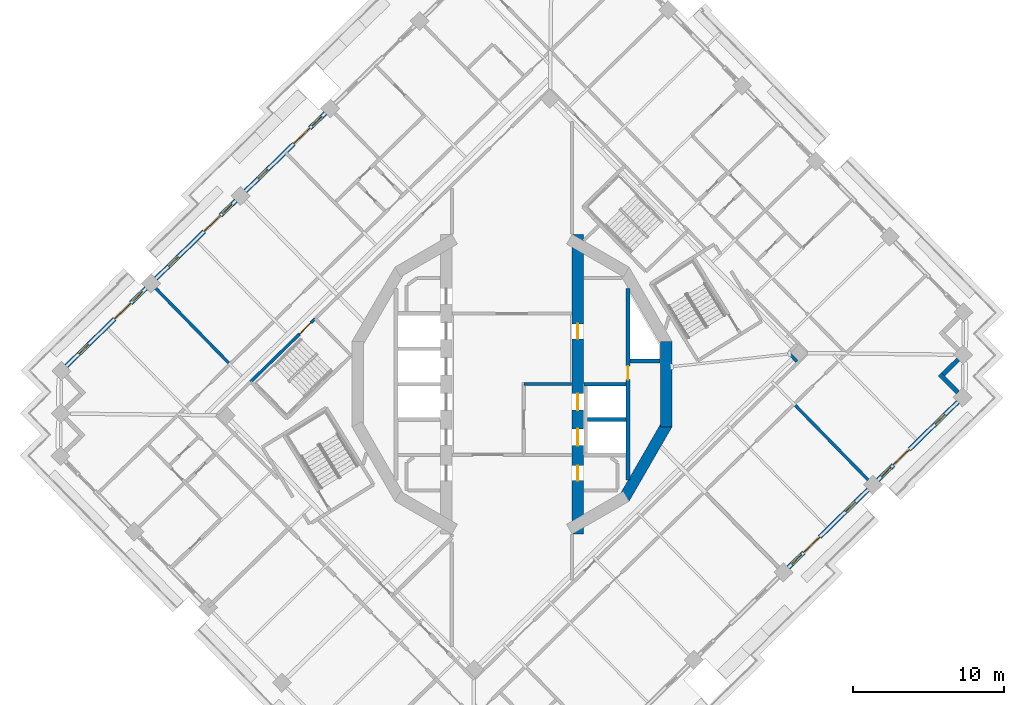
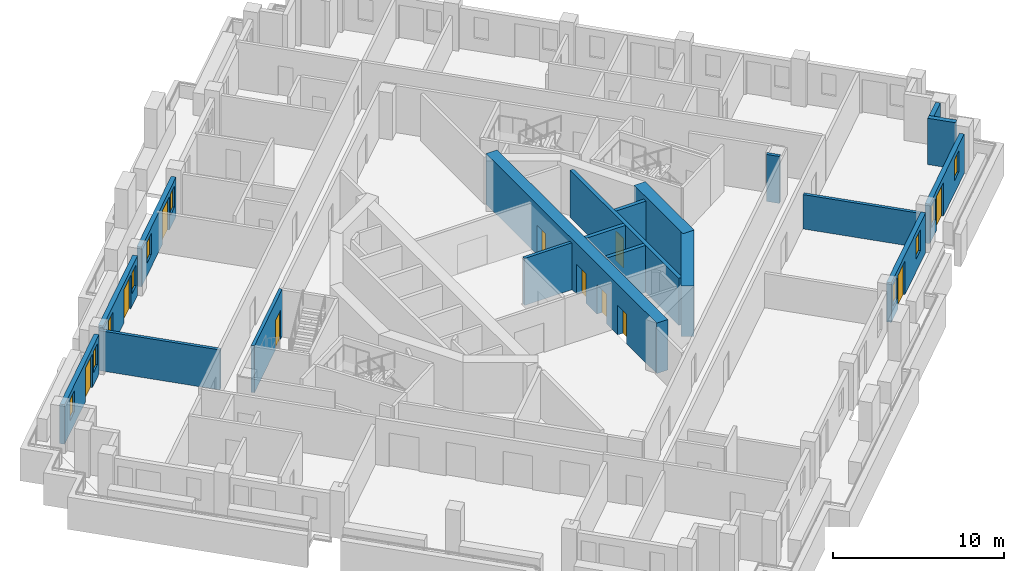
# One storey, part 7 of 17: 19 walls, 11 doors, 10 windows, 21 openings.
"""IFC4 building model written with IfcOpenShell, lengths in metres."""

from ifc_helpers import new_model, si_unit, direction, frame, frame_2d, origin, place, context, subcontext, project, spatial, rectangle, extrude, material, layer, layer_set, type_object, element, fill, save


model = new_model("IFC4")

# Units and contexts
model_context = context("Model", 3, precision=1e-05, world=origin(), true_north=direction((0.0, 1.0)))
body_context = subcontext(model_context, "Body", "Model", "MODEL_VIEW")
ifc_project = project(units=[si_unit("LENGTHUNIT", "METRE"), si_unit("AREAUNIT", "SQUARE_METRE"), si_unit("VOLUMEUNIT", "CUBIC_METRE"), si_unit("PLANEANGLEUNIT", "RADIAN"), si_unit("MASSUNIT", "GRAM", prefix="KILO")], contexts=[model_context])

# Site, building, storey
site_placement = place(None, origin())
site = spatial("IfcSite", under=ifc_project, at=site_placement, CompositionType="ELEMENT")
building_placement = place(site_placement, origin())
building = spatial("IfcBuilding", under=site, at=building_placement, Name="Cantera Rosa Tower", CompositionType="ELEMENT")
storey_placement = place(building_placement, frame((0.0, 0.0, 237.800048828125)))
storey = spatial("IfcBuildingStorey", under=building, at=storey_placement, Name="L52", CompositionType="ELEMENT", Elevation=237.800048828125)

# Walls
ifc_material_1 = material(Name="Hollow clay masonry with cantera stone cladding", Category="masonry")
ifc_layer_1 = layer(ifc_material_1, 0.300048828125)
ifc_layer_set_1 = layer_set([ifc_layer_1], Name="EW-LOGGIA 300")
wall_type_1 = type_object("IfcWallType", Name="EW-LOGGIA 300", PredefinedType="SOLIDWALL", material=ifc_layer_set_1)
wall_1_placement = place(storey_placement, frame((29.623291015625, -0.556884765625, 0.0), z_axis=(0.0, 0.0, 1.0), x_axis=(-0.69880105094, 0.715316077832, 0.0)))
element("IfcWall", 1, at=wall_1_placement, inside=storey, type_object=wall_type_1, Name="EN-L52-W26a", PredefinedType="SOLIDWALL", context=body_context, shape_type="SweptSolid", body=[
    extrude(rectangle(XDim=1.699951171875, YDim=0.300048828125, at=frame_2d((0.85009765625, 0.0))), origin(), (0.0, 0.0, 1.0), 3.300048828125),
])
wall_2_placement = place(storey_placement, frame((28.6474609375, 0.65673828125, 0.0), z_axis=(0.0, 0.0, 1.0), x_axis=(0.715341715727, 0.698774806172, 0.0)))
element("IfcWall", 2, at=wall_2_placement, inside=storey, type_object=wall_type_1, Name="EN-L52-W26b", PredefinedType="SOLIDWALL", context=body_context, shape_type="SweptSolid", body=[
    extrude(rectangle(XDim=1.39990234375, YDim=0.300048828125, at=frame_2d((0.699951171875, 0.0))), origin(), (0.0, 0.0, 1.0), 3.300048828125),
])

# Wall, openings, windows, door
ifc_material_2 = material(Name="Hollow clay masonry with cantera stone cladding", Category="masonry")
ifc_layer_2 = layer(ifc_material_2, 0.300048828125)
ifc_layer_set_2 = layer_set([ifc_layer_2], Name="EW-LOGGIA 300 H2820")
wall_type_2 = type_object("IfcWallType", Name="EW-LOGGIA 300 H2820", PredefinedType="SOLIDWALL", material=ifc_layer_set_2)
wall_3_placement = place(storey_placement, frame((-12.406005859375, 18.007080078125, 0.0), z_axis=(0.0, 0.0, 1.0), x_axis=(-0.715300826176, -0.698816662703, 0.0)))
wall_3 = element("IfcWall", 3, at=wall_3_placement, inside=storey, type_object=wall_type_2, Name="EN-L52-W09", PredefinedType="SOLIDWALL", context=body_context, shape_type="SweptSolid", body=[
    extrude(rectangle(XDim=7.420166015625, YDim=0.300048828125, at=frame_2d((3.7099609375, 0.0))), origin(), (0.0, 0.0, 1.0), 2.820068359375),
])
opening_1_placement = place(wall_3_placement, frame((0.330078125, 0.0, 0.89990234375)))
opening_1 = element("IfcOpeningElement", 4, at=opening_1_placement, cuts=wall_3, Name="Opening L52-W19", PredefinedType="OPENING", context=body_context, shape_type="SweptSolid", body=[
    extrude(rectangle(XDim=0.89990234375, YDim=1.5, at=frame_2d((0.449951171875, 0.75))), frame((0.0, 0.159912109375, 0.0), z_axis=(0.0, -1.0, 0.0), x_axis=(1.0, 0.0, 0.0)), (0.0, 0.0, 1.0), 0.320068359375),
])
opening_2_placement = place(wall_3_placement, frame((1.429931640625, 0.0, 0.0)))
opening_2 = element("IfcOpeningElement", 5, at=opening_2_placement, cuts=wall_3, Name="Opening L52-TD20", PredefinedType="OPENING", context=body_context, shape_type="SweptSolid", body=[
    extrude(rectangle(XDim=1.5, YDim=2.39990234375, at=frame_2d((0.75, 1.199951171875))), frame((0.0, 0.159912109375, 0.0), z_axis=(0.0, -1.0, 0.0), x_axis=(1.0, 0.0, 0.0)), (0.0, 0.0, 1.0), 0.320068359375),
])
opening_3_placement = place(wall_3_placement, frame((5.340087890625, 0.0, 0.89990234375)))
opening_3 = element("IfcOpeningElement", 6, at=opening_3_placement, cuts=wall_3, Name="Opening L52-W21", PredefinedType="OPENING", context=body_context, shape_type="SweptSolid", body=[
    extrude(rectangle(XDim=0.89990234375, YDim=1.5, at=frame_2d((0.449951171875, 0.75))), frame((0.0, 0.159912109375, 0.0), z_axis=(0.0, -1.0, 0.0), x_axis=(1.0, 0.0, 0.0)), (0.0, 0.0, 1.0), 0.320068359375),
])
ifc_material_3 = material(Name="Aluminium frame with clear glass", Category="aluminium")
window_type = type_object("IfcWindowType", Name="Residential window 900x1500", PartitioningType="SINGLE_PANEL", PredefinedType="WINDOW", material=ifc_material_3)
window_1_placement = place(opening_1_placement, origin())
window_1 = element("IfcWindow", 7, at=window_1_placement, inside=storey, type_object=window_type, Name="WINDOW L52-W19", OverallHeight=1.5, OverallWidth=0.89990234375, PartitioningType="SINGLE_PANEL", PredefinedType="WINDOW", context=body_context, shape_type="SweptSolid", body=[
    extrude(rectangle(XDim=0.89990234375, YDim=1.5, at=frame_2d((0.449951171875, 0.75))), frame((0.0, 0.030029296875, 0.0), z_axis=(0.0, -1.0, 0.0), x_axis=(1.0, 0.0, 0.0)), (0.0, 0.0, 1.0), 0.06005859375),
])
fill(opening_1, window_1)
window_2_placement = place(opening_3_placement, origin())
window_2 = element("IfcWindow", 8, at=window_2_placement, inside=storey, type_object=window_type, Name="WINDOW L52-W21", OverallHeight=1.5, OverallWidth=0.89990234375, PartitioningType="SINGLE_PANEL", PredefinedType="WINDOW", context=body_context, shape_type="SweptSolid", body=[
    extrude(rectangle(XDim=0.89990234375, YDim=1.5, at=frame_2d((0.449951171875, 0.75))), frame((0.0, 0.030029296875, 0.0), z_axis=(0.0, -1.0, 0.0), x_axis=(1.0, 0.0, 0.0)), (0.0, 0.0, 1.0), 0.06005859375),
])
fill(opening_3, window_2)
ifc_material_4 = material(Name="Aluminium frame with clear glass", Category="aluminium")
door_type_1 = type_object("IfcDoorType", Name="TD-R 1500x2400", OperationType="NOTDEFINED", PredefinedType="DOOR", material=ifc_material_4)
door_1_placement = place(opening_2_placement, origin())
door_1 = element("IfcDoor", 9, at=door_1_placement, inside=storey, type_object=door_type_1, Name="LOGGIA DOOR L52-TD20", OperationType="SLIDING_TO_LEFT", OverallHeight=2.39990234375, OverallWidth=1.5, PredefinedType="DOOR", context=body_context, shape_type="SweptSolid", body=[
    extrude(rectangle(XDim=1.5, YDim=2.39990234375, at=frame_2d((0.75, 1.199951171875))), frame((0.0, 0.02490234375, 0.0), z_axis=(0.0, -1.0, 0.0), x_axis=(1.0, 0.0, 0.0)), (0.0, 0.0, 1.0), 0.050048828125),
])
fill(opening_2, door_1)

wall_4_placement = place(storey_placement, frame((-18.357177734375, 12.19287109375, 0.0), z_axis=(0.0, 0.0, 1.0), x_axis=(-0.715300826176, -0.698816662703, 0.0)))
wall_4 = element("IfcWall", 10, at=wall_4_placement, inside=storey, type_object=wall_type_2, Name="EN-L52-W10", PredefinedType="SOLIDWALL", context=body_context, shape_type="SweptSolid", body=[
    extrude(rectangle(XDim=7.420166015625, YDim=0.300048828125, at=frame_2d((3.7099609375, 0.0))), origin(), (0.0, 0.0, 1.0), 2.820068359375),
])
opening_4_placement = place(wall_4_placement, frame((0.330078125, 0.0, 0.89990234375)))
opening_4 = element("IfcOpeningElement", 11, at=opening_4_placement, cuts=wall_4, Name="Opening L52-W22", PredefinedType="OPENING", context=body_context, shape_type="SweptSolid", body=[
    extrude(rectangle(XDim=0.89990234375, YDim=1.5, at=frame_2d((0.449951171875, 0.75))), frame((0.0, 0.159912109375, 0.0), z_axis=(0.0, -1.0, 0.0), x_axis=(1.0, 0.0, 0.0)), (0.0, 0.0, 1.0), 0.320068359375),
])
opening_5_placement = place(wall_4_placement, frame((1.429931640625, 0.0, 0.0)))
opening_5 = element("IfcOpeningElement", 12, at=opening_5_placement, cuts=wall_4, Name="Opening L52-TD23", PredefinedType="OPENING", context=body_context, shape_type="SweptSolid", body=[
    extrude(rectangle(XDim=1.5, YDim=2.39990234375, at=frame_2d((0.75, 1.199951171875))), frame((0.0, 0.159912109375, 0.0), z_axis=(0.0, -1.0, 0.0), x_axis=(1.0, 0.0, 0.0)), (0.0, 0.0, 1.0), 0.320068359375),
])
opening_6_placement = place(wall_4_placement, frame((5.340087890625, 0.0, 0.89990234375)))
opening_6 = element("IfcOpeningElement", 13, at=opening_6_placement, cuts=wall_4, Name="Opening L52-W24", PredefinedType="OPENING", context=body_context, shape_type="SweptSolid", body=[
    extrude(rectangle(XDim=0.89990234375, YDim=1.5, at=frame_2d((0.449951171875, 0.75))), frame((0.0, 0.159912109375, 0.0), z_axis=(0.0, -1.0, 0.0), x_axis=(1.0, 0.0, 0.0)), (0.0, 0.0, 1.0), 0.320068359375),
])
window_3_placement = place(opening_4_placement, origin())
window_3 = element("IfcWindow", 14, at=window_3_placement, inside=storey, type_object=window_type, Name="WINDOW L52-W22", OverallHeight=1.5, OverallWidth=0.89990234375, PartitioningType="SINGLE_PANEL", PredefinedType="WINDOW", context=body_context, shape_type="SweptSolid", body=[
    extrude(rectangle(XDim=0.89990234375, YDim=1.5, at=frame_2d((0.449951171875, 0.75))), frame((0.0, 0.030029296875, 0.0), z_axis=(0.0, -1.0, 0.0), x_axis=(1.0, 0.0, 0.0)), (0.0, 0.0, 1.0), 0.06005859375),
])
fill(opening_4, window_3)
window_4_placement = place(opening_6_placement, origin())
window_4 = element("IfcWindow", 15, at=window_4_placement, inside=storey, type_object=window_type, Name="WINDOW L52-W24", OverallHeight=1.5, OverallWidth=0.89990234375, PartitioningType="SINGLE_PANEL", PredefinedType="WINDOW", context=body_context, shape_type="SweptSolid", body=[
    extrude(rectangle(XDim=0.89990234375, YDim=1.5, at=frame_2d((0.449951171875, 0.75))), frame((0.0, 0.030029296875, 0.0), z_axis=(0.0, -1.0, 0.0), x_axis=(1.0, 0.0, 0.0)), (0.0, 0.0, 1.0), 0.06005859375),
])
fill(opening_6, window_4)
door_2_placement = place(opening_5_placement, origin())
door_2 = element("IfcDoor", 16, at=door_2_placement, inside=storey, type_object=door_type_1, Name="LOGGIA DOOR L52-TD23", OperationType="SLIDING_TO_LEFT", OverallHeight=2.39990234375, OverallWidth=1.5, PredefinedType="DOOR", context=body_context, shape_type="SweptSolid", body=[
    extrude(rectangle(XDim=1.5, YDim=2.39990234375, at=frame_2d((0.75, 1.199951171875))), frame((0.0, 0.02490234375, 0.0), z_axis=(0.0, -1.0, 0.0), x_axis=(1.0, 0.0, 0.0)), (0.0, 0.0, 1.0), 0.050048828125),
])
fill(opening_5, door_2)

wall_5_placement = place(storey_placement, frame((-24.308349609375, 6.37841796875, 0.0), z_axis=(0.0, 0.0, 1.0), x_axis=(-0.715300826176, -0.698816662703, 0.0)))
wall_5 = element("IfcWall", 17, at=wall_5_placement, inside=storey, type_object=wall_type_2, Name="EN-L52-W11", PredefinedType="SOLIDWALL", context=body_context, shape_type="SweptSolid", body=[
    extrude(rectangle(XDim=7.420166015625, YDim=0.300048828125, at=frame_2d((3.7099609375, 0.0))), origin(), (0.0, 0.0, 1.0), 2.820068359375),
])
opening_7_placement = place(wall_5_placement, frame((0.330078125, 0.0, 0.89990234375)))
opening_7 = element("IfcOpeningElement", 18, at=opening_7_placement, cuts=wall_5, Name="Opening L52-W25", PredefinedType="OPENING", context=body_context, shape_type="SweptSolid", body=[
    extrude(rectangle(XDim=0.89990234375, YDim=1.5, at=frame_2d((0.449951171875, 0.75))), frame((0.0, 0.159912109375, 0.0), z_axis=(0.0, -1.0, 0.0), x_axis=(1.0, 0.0, 0.0)), (0.0, 0.0, 1.0), 0.320068359375),
])
opening_8_placement = place(wall_5_placement, frame((1.429931640625, 0.0, 0.0)))
opening_8 = element("IfcOpeningElement", 19, at=opening_8_placement, cuts=wall_5, Name="Opening L52-TD26", PredefinedType="OPENING", context=body_context, shape_type="SweptSolid", body=[
    extrude(rectangle(XDim=1.5, YDim=2.39990234375, at=frame_2d((0.75, 1.199951171875))), frame((0.0, 0.159912109375, 0.0), z_axis=(0.0, -1.0, 0.0), x_axis=(1.0, 0.0, 0.0)), (0.0, 0.0, 1.0), 0.320068359375),
])
opening_9_placement = place(wall_5_placement, frame((5.340087890625, 0.0, 0.89990234375)))
opening_9 = element("IfcOpeningElement", 20, at=opening_9_placement, cuts=wall_5, Name="Opening L52-W27", PredefinedType="OPENING", context=body_context, shape_type="SweptSolid", body=[
    extrude(rectangle(XDim=0.89990234375, YDim=1.5, at=frame_2d((0.449951171875, 0.75))), frame((0.0, 0.159912109375, 0.0), z_axis=(0.0, -1.0, 0.0), x_axis=(1.0, 0.0, 0.0)), (0.0, 0.0, 1.0), 0.320068359375),
])
window_5_placement = place(opening_7_placement, origin())
window_5 = element("IfcWindow", 21, at=window_5_placement, inside=storey, type_object=window_type, Name="WINDOW L52-W25", OverallHeight=1.5, OverallWidth=0.89990234375, PartitioningType="SINGLE_PANEL", PredefinedType="WINDOW", context=body_context, shape_type="SweptSolid", body=[
    extrude(rectangle(XDim=0.89990234375, YDim=1.5, at=frame_2d((0.449951171875, 0.75))), frame((0.0, 0.030029296875, 0.0), z_axis=(0.0, -1.0, 0.0), x_axis=(1.0, 0.0, 0.0)), (0.0, 0.0, 1.0), 0.06005859375),
])
fill(opening_7, window_5)
window_6_placement = place(opening_9_placement, origin())
window_6 = element("IfcWindow", 22, at=window_6_placement, inside=storey, type_object=window_type, Name="WINDOW L52-W27", OverallHeight=1.5, OverallWidth=0.89990234375, PartitioningType="SINGLE_PANEL", PredefinedType="WINDOW", context=body_context, shape_type="SweptSolid", body=[
    extrude(rectangle(XDim=0.89990234375, YDim=1.5, at=frame_2d((0.449951171875, 0.75))), frame((0.0, 0.030029296875, 0.0), z_axis=(0.0, -1.0, 0.0), x_axis=(1.0, 0.0, 0.0)), (0.0, 0.0, 1.0), 0.06005859375),
])
fill(opening_9, window_6)
door_3_placement = place(opening_8_placement, origin())
door_3 = element("IfcDoor", 23, at=door_3_placement, inside=storey, type_object=door_type_1, Name="LOGGIA DOOR L52-TD26", OperationType="SLIDING_TO_LEFT", OverallHeight=2.39990234375, OverallWidth=1.5, PredefinedType="DOOR", context=body_context, shape_type="SweptSolid", body=[
    extrude(rectangle(XDim=1.5, YDim=2.39990234375, at=frame_2d((0.75, 1.199951171875))), frame((0.0, 0.02490234375, 0.0), z_axis=(0.0, -1.0, 0.0), x_axis=(1.0, 0.0, 0.0)), (0.0, 0.0, 1.0), 0.050048828125),
])
fill(opening_8, door_3)

wall_6_placement = place(storey_placement, frame((18.357177734375, -12.19287109375, 0.0), z_axis=(0.0, 0.0, 1.0), x_axis=(0.715300826176, 0.698816662703, 0.0)))
wall_6 = element("IfcWall", 24, at=wall_6_placement, inside=storey, type_object=wall_type_2, Name="EN-L52-W24", PredefinedType="SOLIDWALL", context=body_context, shape_type="SweptSolid", body=[
    extrude(rectangle(XDim=7.420166015625, YDim=0.300048828125, at=frame_2d((3.7099609375, 0.0))), origin(), (0.0, 0.0, 1.0), 2.820068359375),
])
opening_10_placement = place(wall_6_placement, frame((0.330078125, 0.0, 0.89990234375)))
opening_10 = element("IfcOpeningElement", 25, at=opening_10_placement, cuts=wall_6, Name="Opening L52-W46", PredefinedType="OPENING", context=body_context, shape_type="SweptSolid", body=[
    extrude(rectangle(XDim=0.89990234375, YDim=1.5, at=frame_2d((0.449951171875, 0.75))), frame((0.0, 0.159912109375, 0.0), z_axis=(0.0, -1.0, 0.0), x_axis=(1.0, 0.0, 0.0)), (0.0, 0.0, 1.0), 0.320068359375),
])
opening_11_placement = place(wall_6_placement, frame((1.429931640625, 0.0, 0.0)))
opening_11 = element("IfcOpeningElement", 26, at=opening_11_placement, cuts=wall_6, Name="Opening L52-TD47", PredefinedType="OPENING", context=body_context, shape_type="SweptSolid", body=[
    extrude(rectangle(XDim=1.5, YDim=2.39990234375, at=frame_2d((0.75, 1.199951171875))), frame((0.0, 0.159912109375, 0.0), z_axis=(0.0, -1.0, 0.0), x_axis=(1.0, 0.0, 0.0)), (0.0, 0.0, 1.0), 0.320068359375),
])
opening_12_placement = place(wall_6_placement, frame((5.340087890625, 0.0, 0.89990234375)))
opening_12 = element("IfcOpeningElement", 27, at=opening_12_placement, cuts=wall_6, Name="Opening L52-W48", PredefinedType="OPENING", context=body_context, shape_type="SweptSolid", body=[
    extrude(rectangle(XDim=0.89990234375, YDim=1.5, at=frame_2d((0.449951171875, 0.75))), frame((0.0, 0.159912109375, 0.0), z_axis=(0.0, -1.0, 0.0), x_axis=(1.0, 0.0, 0.0)), (0.0, 0.0, 1.0), 0.320068359375),
])
window_7_placement = place(opening_10_placement, origin())
window_7 = element("IfcWindow", 28, at=window_7_placement, inside=storey, type_object=window_type, Name="WINDOW L52-W46", OverallHeight=1.5, OverallWidth=0.89990234375, PartitioningType="SINGLE_PANEL", PredefinedType="WINDOW", context=body_context, shape_type="SweptSolid", body=[
    extrude(rectangle(XDim=0.89990234375, YDim=1.5, at=frame_2d((0.449951171875, 0.75))), frame((0.0, 0.030029296875, 0.0), z_axis=(0.0, -1.0, 0.0), x_axis=(1.0, 0.0, 0.0)), (0.0, 0.0, 1.0), 0.06005859375),
])
fill(opening_10, window_7)
window_8_placement = place(opening_12_placement, origin())
window_8 = element("IfcWindow", 29, at=window_8_placement, inside=storey, type_object=window_type, Name="WINDOW L52-W48", OverallHeight=1.5, OverallWidth=0.89990234375, PartitioningType="SINGLE_PANEL", PredefinedType="WINDOW", context=body_context, shape_type="SweptSolid", body=[
    extrude(rectangle(XDim=0.89990234375, YDim=1.5, at=frame_2d((0.449951171875, 0.75))), frame((0.0, 0.030029296875, 0.0), z_axis=(0.0, -1.0, 0.0), x_axis=(1.0, 0.0, 0.0)), (0.0, 0.0, 1.0), 0.06005859375),
])
fill(opening_12, window_8)
door_4_placement = place(opening_11_placement, origin())
door_4 = element("IfcDoor", 30, at=door_4_placement, inside=storey, type_object=door_type_1, Name="LOGGIA DOOR L52-TD47", OperationType="SLIDING_TO_LEFT", OverallHeight=2.39990234375, OverallWidth=1.5, PredefinedType="DOOR", context=body_context, shape_type="SweptSolid", body=[
    extrude(rectangle(XDim=1.5, YDim=2.39990234375, at=frame_2d((0.75, 1.199951171875))), frame((0.0, 0.02490234375, 0.0), z_axis=(0.0, -1.0, 0.0), x_axis=(1.0, 0.0, 0.0)), (0.0, 0.0, 1.0), 0.050048828125),
])
fill(opening_11, door_4)

wall_7_placement = place(storey_placement, frame((24.308349609375, -6.37841796875, 0.0), z_axis=(0.0, 0.0, 1.0), x_axis=(0.715300826176, 0.698816662703, 0.0)))
wall_7 = element("IfcWall", 31, at=wall_7_placement, inside=storey, type_object=wall_type_2, Name="EN-L52-W25", PredefinedType="SOLIDWALL", context=body_context, shape_type="SweptSolid", body=[
    extrude(rectangle(XDim=7.420166015625, YDim=0.300048828125, at=frame_2d((3.7099609375, 0.0))), origin(), (0.0, 0.0, 1.0), 2.820068359375),
])
opening_13_placement = place(wall_7_placement, frame((0.330078125, 0.0, 0.89990234375)))
opening_13 = element("IfcOpeningElement", 32, at=opening_13_placement, cuts=wall_7, Name="Opening L52-W49", PredefinedType="OPENING", context=body_context, shape_type="SweptSolid", body=[
    extrude(rectangle(XDim=0.89990234375, YDim=1.5, at=frame_2d((0.449951171875, 0.75))), frame((0.0, 0.159912109375, 0.0), z_axis=(0.0, -1.0, 0.0), x_axis=(1.0, 0.0, 0.0)), (0.0, 0.0, 1.0), 0.320068359375),
])
opening_14_placement = place(wall_7_placement, frame((1.429931640625, 0.0, 0.0)))
opening_14 = element("IfcOpeningElement", 33, at=opening_14_placement, cuts=wall_7, Name="Opening L52-TD50", PredefinedType="OPENING", context=body_context, shape_type="SweptSolid", body=[
    extrude(rectangle(XDim=1.5, YDim=2.39990234375, at=frame_2d((0.75, 1.199951171875))), frame((0.0, 0.159912109375, 0.0), z_axis=(0.0, -1.0, 0.0), x_axis=(1.0, 0.0, 0.0)), (0.0, 0.0, 1.0), 0.320068359375),
])
opening_15_placement = place(wall_7_placement, frame((5.340087890625, 0.0, 0.89990234375)))
opening_15 = element("IfcOpeningElement", 34, at=opening_15_placement, cuts=wall_7, Name="Opening L52-W51", PredefinedType="OPENING", context=body_context, shape_type="SweptSolid", body=[
    extrude(rectangle(XDim=0.89990234375, YDim=1.5, at=frame_2d((0.449951171875, 0.75))), frame((0.0, 0.159912109375, 0.0), z_axis=(0.0, -1.0, 0.0), x_axis=(1.0, 0.0, 0.0)), (0.0, 0.0, 1.0), 0.320068359375),
])
window_9_placement = place(opening_13_placement, origin())
window_9 = element("IfcWindow", 35, at=window_9_placement, inside=storey, type_object=window_type, Name="WINDOW L52-W49", OverallHeight=1.5, OverallWidth=0.89990234375, PartitioningType="SINGLE_PANEL", PredefinedType="WINDOW", context=body_context, shape_type="SweptSolid", body=[
    extrude(rectangle(XDim=0.89990234375, YDim=1.5, at=frame_2d((0.449951171875, 0.75))), frame((0.0, 0.030029296875, 0.0), z_axis=(0.0, -1.0, 0.0), x_axis=(1.0, 0.0, 0.0)), (0.0, 0.0, 1.0), 0.06005859375),
])
fill(opening_13, window_9)
window_10_placement = place(opening_15_placement, origin())
window_10 = element("IfcWindow", 36, at=window_10_placement, inside=storey, type_object=window_type, Name="WINDOW L52-W51", OverallHeight=1.5, OverallWidth=0.89990234375, PartitioningType="SINGLE_PANEL", PredefinedType="WINDOW", context=body_context, shape_type="SweptSolid", body=[
    extrude(rectangle(XDim=0.89990234375, YDim=1.5, at=frame_2d((0.449951171875, 0.75))), frame((0.0, 0.030029296875, 0.0), z_axis=(0.0, -1.0, 0.0), x_axis=(1.0, 0.0, 0.0)), (0.0, 0.0, 1.0), 0.06005859375),
])
fill(opening_15, window_10)
door_5_placement = place(opening_14_placement, origin())
door_5 = element("IfcDoor", 37, at=door_5_placement, inside=storey, type_object=door_type_1, Name="LOGGIA DOOR L52-TD50", OperationType="SLIDING_TO_LEFT", OverallHeight=2.39990234375, OverallWidth=1.5, PredefinedType="DOOR", context=body_context, shape_type="SweptSolid", body=[
    extrude(rectangle(XDim=1.5, YDim=2.39990234375, at=frame_2d((0.75, 1.199951171875))), frame((0.0, 0.02490234375, 0.0), z_axis=(0.0, -1.0, 0.0), x_axis=(1.0, 0.0, 0.0)), (0.0, 0.0, 1.0), 0.050048828125),
])
fill(opening_14, door_5)

# Walls
ifc_material_5 = material(Name="Gypsum board partition")
ifc_layer_3 = layer(ifc_material_5, 0.199951171875)
ifc_layer_set_3 = layer_set([ifc_layer_3], Name="PARTITION 200 H2450")
wall_type_3 = type_object("IfcWallType", Name="PARTITION 200 H2450", PredefinedType="PARTITIONING", material=ifc_layer_set_3)
wall_8_placement = place(storey_placement, frame((18.8291015625, -1.414306640625, 0.0), z_axis=(0.0, 0.0, 1.0), x_axis=(0.698854556514, -0.71526380367, 0.0)))
element("IfcWall", 38, at=wall_8_placement, inside=storey, type_object=wall_type_3, Name="PARTITION L52-108", PredefinedType="PARTITIONING", context=body_context, shape_type="SweptSolid", body=[
    extrude(rectangle(XDim=7.349853515625, YDim=0.199951171875, at=frame_2d((3.6748046875, 0.0))), origin(), (0.0, 0.0, 1.0), 2.449951171875),
])
ifc_material_6 = material(Name="Gypsum board partition")
ifc_layer_4 = layer(ifc_material_6, 0.199951171875)
ifc_layer_set_4 = layer_set([ifc_layer_4], Name="PARTITION 200 H2850")
wall_type_4 = type_object("IfcWallType", Name="PARTITION 200 H2850", PredefinedType="PARTITIONING", material=ifc_layer_set_4)
wall_9_placement = place(storey_placement, frame((-18.8291015625, 1.414306640625, 0.0), z_axis=(0.0, 0.0, 1.0), x_axis=(-0.698854556514, 0.71526380367, 0.0)))
element("IfcWall", 39, at=wall_9_placement, inside=storey, type_object=wall_type_4, Name="PARTITION L52-010", PredefinedType="PARTITIONING", context=body_context, shape_type="SweptSolid", body=[
    extrude(rectangle(XDim=7.349853515625, YDim=0.199951171875, at=frame_2d((3.6748046875, 0.0))), origin(), (0.0, 0.0, 1.0), 2.849853515625),
])
ifc_material_7 = material(Name="Gypsum board partition")
ifc_layer_5 = layer(ifc_material_7, 0.199951171875)
ifc_layer_set_5 = layer_set([ifc_layer_5], Name="PARTITION 200 H3350")
wall_type_5 = type_object("IfcWallType", Name="PARTITION 200 H3350", PredefinedType="PARTITIONING", material=ifc_layer_set_5)
wall_10_placement = place(storey_placement, frame((18.375, 2.08447265625, 0.0), z_axis=(0.0, 0.0, 1.0), x_axis=(0.698819420598, -0.715298131827, 0.0)))
element("IfcWall", 40, at=wall_10_placement, inside=storey, type_object=wall_type_5, Name="PARTITION L52-107", PredefinedType="PARTITIONING", context=body_context, shape_type="SweptSolid", body=[
    extrude(rectangle(XDim=0.800048828125, YDim=0.199951171875, at=frame_2d((0.39990234375, 0.0))), origin(), (0.0, 0.0, 1.0), 3.349853515625),
])
ifc_material_8 = material(Name="Concrete C60/75", Category="concrete")
ifc_layer_6 = layer(ifc_material_8, 0.75)
ifc_layer_set_6 = layer_set([ifc_layer_6], Name="RC CORE WALL 750 C60/75")
wall_type_6 = type_object("IfcWallType", Name="RC CORE WALL 750 C60/75", PredefinedType="SHEAR", material=ifc_layer_set_6)
wall_11_placement = place(storey_placement, frame((10.250244140625, 2.846923828125, 0.0), z_axis=(0.0, 0.0, 1.0), x_axis=(0.0, -1.0, 0.0)))
element("IfcWall", 41, at=wall_11_placement, inside=storey, type_object=wall_type_6, Name="CW-E3 L52", PredefinedType="SHEAR", context=body_context, shape_type="SweptSolid", body=[
    extrude(rectangle(XDim=5.69384765625, YDim=0.75, at=frame_2d((2.846923828125, 0.0))), origin(), (0.0, 0.0, 1.0), 3.599853515625),
])
wall_12_placement = place(storey_placement, frame((10.300537109375, -2.659423828125, 0.0), z_axis=(0.0, 0.0, 1.0), x_axis=(-0.500021842983, -0.866012792365, 0.0)))
element("IfcWall", 42, at=wall_12_placement, inside=storey, type_object=wall_type_6, Name="CW-E4 L52", PredefinedType="SHEAR", context=body_context, shape_type="SweptSolid", body=[
    extrude(rectangle(XDim=5.694091796875, YDim=0.75, at=frame_2d((2.84716796875, 0.0))), origin(), (0.0, 0.0, 1.0), 3.599853515625),
])

# Wall, openings, doors
wall_13_placement = place(storey_placement, frame((4.375, -9.95947265625, 0.0), z_axis=(0.0, 0.0, 1.0), x_axis=(0.0, 1.0, 0.0)))
wall_13 = element("IfcWall", 43, at=wall_13_placement, inside=storey, type_object=wall_type_6, Name="CW-E6 L52", PredefinedType="SHEAR", context=body_context, shape_type="SweptSolid", body=[
    extrude(rectangle(XDim=19.9189453125, YDim=0.75, at=frame_2d((9.95947265625, 0.0))), origin(), (0.0, 0.0, 1.0), 3.599853515625),
])
opening_16_placement = place(wall_13_placement, frame((5.884521484375, 0.0, 0.0)))
opening_16 = element("IfcOpeningElement", 44, at=opening_16_placement, cuts=wall_13, Name="Opening LD-FF1-L52", PredefinedType="OPENING", context=body_context, shape_type="SweptSolid", body=[
    extrude(rectangle(XDim=1.10009765625, YDim=2.10009765625, at=frame_2d((0.550048828125, 1.050048828125))), frame((0.0, 0.385009765625, 0.0), z_axis=(0.0, -1.0, 0.0), x_axis=(1.0, 0.0, 0.0)), (0.0, 0.0, 1.0), 0.77001953125),
])
opening_17_placement = place(wall_13_placement, frame((8.234619140625, 0.0, 0.0)))
opening_17 = element("IfcOpeningElement", 45, at=opening_17_placement, cuts=wall_13, Name="Opening LD-FF2-L52", PredefinedType="OPENING", context=body_context, shape_type="SweptSolid", body=[
    extrude(rectangle(XDim=1.10009765625, YDim=2.10009765625, at=frame_2d((0.550048828125, 1.050048828125))), frame((0.0, 0.385009765625, 0.0), z_axis=(0.0, -1.0, 0.0), x_axis=(1.0, 0.0, 0.0)), (0.0, 0.0, 1.0), 0.77001953125),
])
opening_18_placement = place(wall_13_placement, frame((3.55078125, 0.0, 0.0)))
opening_18 = element("IfcOpeningElement", 46, at=opening_18_placement, cuts=wall_13, Name="Opening SD-L52-20", PredefinedType="OPENING", context=body_context, shape_type="SweptSolid", body=[
    extrude(rectangle(XDim=1.0, YDim=2.10009765625, at=frame_2d((0.5, 1.050048828125))), frame((0.0, 0.385009765625, 0.0), z_axis=(0.0, -1.0, 0.0), x_axis=(1.0, 0.0, 0.0)), (0.0, 0.0, 1.0), 0.77001953125),
])
opening_19_placement = place(wall_13_placement, frame((12.9658203125, 0.0, 0.0)))
opening_19 = element("IfcOpeningElement", 47, at=opening_19_placement, cuts=wall_13, Name="Opening SD-L52-21", PredefinedType="OPENING", context=body_context, shape_type="SweptSolid", body=[
    extrude(rectangle(XDim=1.0, YDim=2.10009765625, at=frame_2d((0.5, 1.050048828125))), frame((0.0, 0.385009765625, 0.0), z_axis=(0.0, -1.0, 0.0), x_axis=(1.0, 0.0, 0.0)), (0.0, 0.0, 1.0), 0.77001953125),
])
ifc_material_9 = material(Name="Steel S355J2 (EN 10025-2)", Category="steel")
door_type_2 = type_object("IfcDoorType", Name="LANDING DOOR 1100x2100", OperationType="NOTDEFINED", PredefinedType="DOOR", material=ifc_material_9)
door_6_placement = place(opening_16_placement, origin())
door_6 = element("IfcDoor", 48, at=door_6_placement, inside=storey, type_object=door_type_2, Name="LANDING DOOR FF1 L52", OperationType="SLIDING_TO_LEFT", OverallHeight=2.10009765625, OverallWidth=1.10009765625, PredefinedType="DOOR", context=body_context, shape_type="SweptSolid", body=[
    extrude(rectangle(XDim=1.10009765625, YDim=2.10009765625, at=frame_2d((0.550048828125, 1.050048828125))), frame((0.0, 0.02490234375, 0.0), z_axis=(0.0, -1.0, 0.0), x_axis=(1.0, 0.0, 0.0)), (0.0, 0.0, 1.0), 0.050048828125),
])
fill(opening_16, door_6)
door_7_placement = place(opening_17_placement, origin())
door_7 = element("IfcDoor", 49, at=door_7_placement, inside=storey, type_object=door_type_2, Name="LANDING DOOR FF2 L52", OperationType="SLIDING_TO_LEFT", OverallHeight=2.10009765625, OverallWidth=1.10009765625, PredefinedType="DOOR", context=body_context, shape_type="SweptSolid", body=[
    extrude(rectangle(XDim=1.10009765625, YDim=2.10009765625, at=frame_2d((0.550048828125, 1.050048828125))), frame((0.0, 0.02490234375, 0.0), z_axis=(0.0, -1.0, 0.0), x_axis=(1.0, 0.0, 0.0)), (0.0, 0.0, 1.0), 0.050048828125),
])
fill(opening_17, door_7)
ifc_material_10 = material(Name="Timber door leaf", Category="wood")
door_type_3 = type_object("IfcDoorType", Name="SERVICE DOOR 1000x2100", OperationType="NOTDEFINED", PredefinedType="DOOR", material=ifc_material_10)
door_8_placement = place(opening_18_placement, origin())
door_8 = element("IfcDoor", 50, at=door_8_placement, inside=storey, type_object=door_type_3, Name="DOOR L52-SD20", OperationType="NOTDEFINED", OverallHeight=2.10009765625, OverallWidth=1.0, PredefinedType="DOOR", context=body_context, shape_type="SweptSolid", body=[
    extrude(rectangle(XDim=1.0, YDim=2.10009765625, at=frame_2d((0.5, 1.050048828125))), frame((0.0, 0.02490234375, 0.0), z_axis=(0.0, -1.0, 0.0), x_axis=(1.0, 0.0, 0.0)), (0.0, 0.0, 1.0), 0.050048828125),
])
fill(opening_18, door_8)
door_9_placement = place(opening_19_placement, origin())
door_9 = element("IfcDoor", 51, at=door_9_placement, inside=storey, type_object=door_type_3, Name="DOOR L52-SD21", OperationType="NOTDEFINED", OverallHeight=2.10009765625, OverallWidth=1.0, PredefinedType="DOOR", context=body_context, shape_type="SweptSolid", body=[
    extrude(rectangle(XDim=1.0, YDim=2.10009765625, at=frame_2d((0.5, 1.050048828125))), frame((0.0, 0.02490234375, 0.0), z_axis=(0.0, -1.0, 0.0), x_axis=(1.0, 0.0, 0.0)), (0.0, 0.0, 1.0), 0.050048828125),
])
fill(opening_19, door_9)

# Wall
ifc_material_11 = material(Name="Masonry blockwork", Category="masonry")
ifc_layer_7 = layer(ifc_material_11, 0.25)
ifc_layer_set_7 = layer_set([ifc_layer_7], Name="SHAFT WALL 250 H3350")
wall_type_7 = type_object("IfcWallType", Name="SHAFT WALL 250 H3350", PredefinedType="SOLIDWALL", material=ifc_layer_set_7)
wall_14_placement = place(storey_placement, frame((4.780029296875, 0.0, 0.0), z_axis=(0.0, 0.0, 1.0), x_axis=(1.0, 0.0, 0.0)))
element("IfcWall", 52, at=wall_14_placement, inside=storey, type_object=wall_type_7, Name="SHAFT WALL L52-073", PredefinedType="SOLIDWALL", context=body_context, shape_type="SweptSolid", body=[
    extrude(rectangle(XDim=2.794921875, YDim=0.25, at=frame_2d((1.3974609375, 0.0))), origin(), (0.0, 0.0, 1.0), 3.349853515625),
])

# Wall, opening, door
wall_15_placement = place(storey_placement, frame((7.699951171875, -6.353515625, 0.0), z_axis=(0.0, 0.0, 1.0), x_axis=(0.0, 1.0, 0.0)))
wall_15 = element("IfcWall", 53, at=wall_15_placement, inside=storey, type_object=wall_type_7, Name="SHAFT WALL L52-084", PredefinedType="SOLIDWALL", context=body_context, shape_type="SweptSolid", body=[
    extrude(rectangle(XDim=12.70703125, YDim=0.25, at=frame_2d((6.353515625, 0.0))), origin(), (0.0, 0.0, 1.0), 3.349853515625),
])
opening_20_placement = place(wall_15_placement, frame((6.658203125, 0.0, 0.0)))
opening_20 = element("IfcOpeningElement", 54, at=opening_20_placement, cuts=wall_15, Name="Opening L52-055", PredefinedType="OPENING", context=body_context, shape_type="SweptSolid", body=[
    extrude(rectangle(XDim=0.89990234375, YDim=2.10009765625, at=frame_2d((0.449951171875, 1.050048828125))), frame((0.0, 0.135009765625, 0.0), z_axis=(0.0, -1.0, 0.0), x_axis=(1.0, 0.0, 0.0)), (0.0, 0.0, 1.0), 0.27001953125),
])
ifc_material_12 = material(Name="Timber door leaf", Category="wood")
door_type_4 = type_object("IfcDoorType", Name="SERVICE DOOR 900x2100", OperationType="NOTDEFINED", PredefinedType="DOOR", material=ifc_material_12)
door_10_placement = place(opening_20_placement, origin())
door_10 = element("IfcDoor", 55, at=door_10_placement, inside=storey, type_object=door_type_4, Name="RISER DOOR L52-055", OperationType="NOTDEFINED", OverallHeight=2.10009765625, OverallWidth=0.89990234375, PredefinedType="DOOR", context=body_context, shape_type="SweptSolid", body=[
    extrude(rectangle(XDim=0.89990234375, YDim=2.10009765625, at=frame_2d((0.449951171875, 1.050048828125))), frame((0.0, 0.02490234375, 0.0), z_axis=(0.0, -1.0, 0.0), x_axis=(1.0, 0.0, 0.0)), (0.0, 0.0, 1.0), 0.050048828125),
])
fill(opening_20, door_10)

# Walls
wall_16_placement = place(storey_placement, frame((7.574951171875, -2.35009765625, 0.0), z_axis=(0.0, 0.0, 1.0), x_axis=(-1.0, 0.0, 0.0)))
element("IfcWall", 56, at=wall_16_placement, inside=storey, type_object=wall_type_7, Name="SHAFT WALL L52-086", PredefinedType="SOLIDWALL", context=body_context, shape_type="SweptSolid", body=[
    extrude(rectangle(XDim=2.56005859375, YDim=0.25, at=frame_2d((1.280029296875, 0.0))), origin(), (0.0, 0.0, 1.0), 3.349853515625),
])
wall_17_placement = place(storey_placement, frame((7.824951171875, 1.539306640625, 0.0), z_axis=(0.0, 0.0, 1.0), x_axis=(1.0, 0.0, 0.0)))
element("IfcWall", 57, at=wall_17_placement, inside=storey, type_object=wall_type_7, Name="SHAFT WALL L52-087", PredefinedType="SOLIDWALL", context=body_context, shape_type="SweptSolid", body=[
    extrude(rectangle(XDim=2.020263671875, YDim=0.25, at=frame_2d((1.01025390625, 0.0))), origin(), (0.0, 0.0, 1.0), 3.349853515625),
])

# Wall, opening, door
ifc_material_13 = material(Name="Concrete C50/60", Category="concrete")
ifc_layer_8 = layer(ifc_material_13, 0.199951171875)
ifc_layer_set_8 = layer_set([ifc_layer_8], Name="STAIR WALL 200 H3350")
wall_type_8 = type_object("IfcWallType", Name="STAIR WALL 200 H3350", PredefinedType="SOLIDWALL", material=ifc_layer_set_8)
wall_18_placement = place(storey_placement, frame((-13.077880859375, 4.34912109375, 0.0), z_axis=(0.0, 0.0, 1.0), x_axis=(-0.715278260946, -0.698839759471, 0.0)))
wall_18 = element("IfcWall", 58, at=wall_18_placement, inside=storey, type_object=wall_type_8, Name="STAIR WALL L52-019", PredefinedType="SOLIDWALL", context=body_context, shape_type="SweptSolid", body=[
    extrude(rectangle(XDim=6.0, YDim=0.199951171875, at=frame_2d((3.0, 0.0))), origin(), (0.0, 0.0, 1.0), 3.349853515625),
])
opening_21_placement = place(wall_18_placement, frame((0.375, 0.0, 0.0)))
opening_21 = element("IfcOpeningElement", 59, at=opening_21_placement, cuts=wall_18, Name="Opening L52-004", PredefinedType="OPENING", context=body_context, shape_type="SweptSolid", body=[
    extrude(rectangle(XDim=1.10009765625, YDim=2.10009765625, at=frame_2d((0.550048828125, 1.050048828125))), frame((0.0, 0.10986328125, 0.0), z_axis=(0.0, -1.0, 0.0), x_axis=(1.0, 0.0, 0.0)), (0.0, 0.0, 1.0), 0.219970703125),
])
ifc_material_14 = material(Name="Steel S355J2 (EN 10025-2)", Category="steel")
door_type_5 = type_object("IfcDoorType", Name="STAIR DOOR 1100x2100", OperationType="NOTDEFINED", PredefinedType="DOOR", material=ifc_material_14)
door_11_placement = place(opening_21_placement, origin())
door_11 = element("IfcDoor", 60, at=door_11_placement, inside=storey, type_object=door_type_5, Name="DOOR L52-004", OperationType="NOTDEFINED", OverallHeight=2.10009765625, OverallWidth=1.10009765625, PredefinedType="DOOR", context=body_context, shape_type="SweptSolid", body=[
    extrude(rectangle(XDim=1.10009765625, YDim=2.10009765625, at=frame_2d((0.550048828125, 1.050048828125))), frame((0.0, 0.02490234375, 0.0), z_axis=(0.0, -1.0, 0.0), x_axis=(1.0, 0.0, 0.0)), (0.0, 0.0, 1.0), 0.050048828125),
])
fill(opening_21, door_11)

# Wall
wall_19_placement = place(storey_placement, frame((0.800048828125, 0.0, 0.0), z_axis=(0.0, 0.0, 1.0), x_axis=(1.0, 0.0, 0.0)))
element("IfcWall", 61, at=wall_19_placement, inside=storey, type_object=wall_type_8, Name="STAIR WALL L52-062", PredefinedType="SOLIDWALL", context=body_context, shape_type="SweptSolid", body=[
    extrude(rectangle(XDim=3.169921875, YDim=0.199951171875, at=frame_2d((1.5849609375, 0.0))), origin(), (0.0, 0.0, 1.0), 3.349853515625),
])

save(model, "model.ifc")
